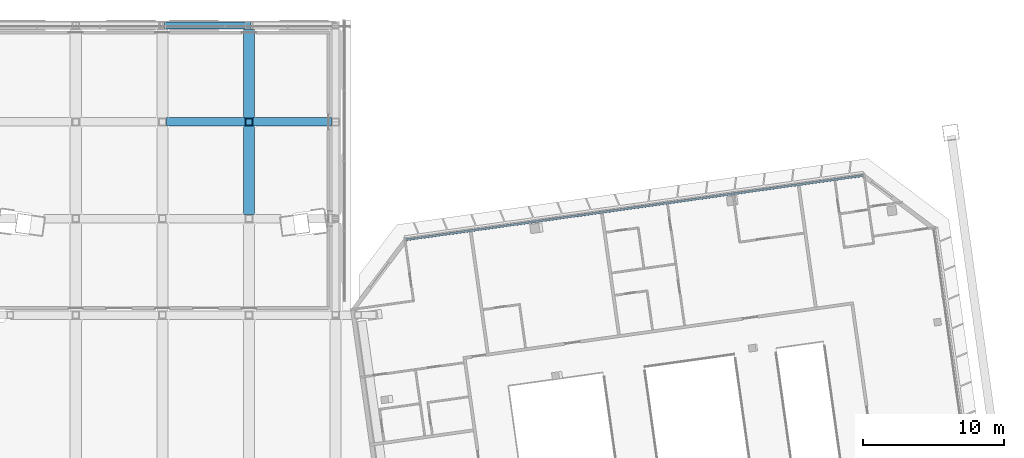
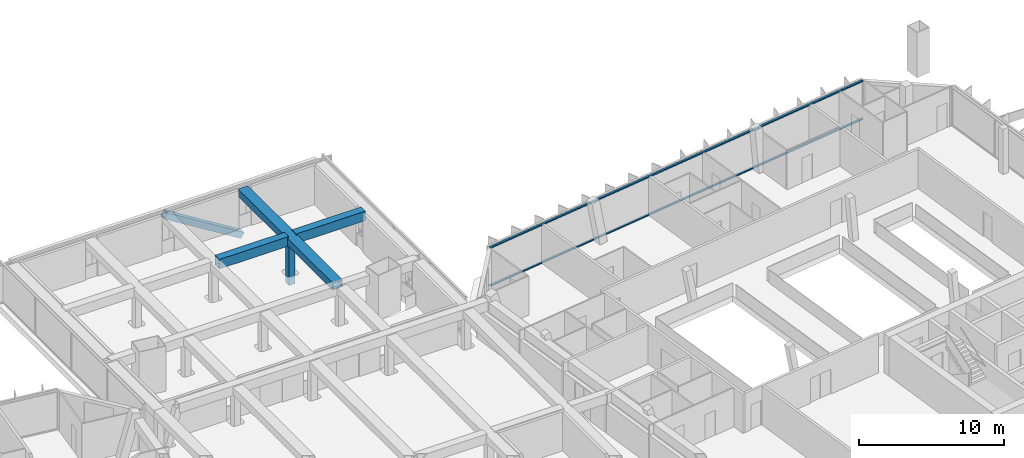
# One storey, part 10 of 28: 7 members, 1 element without a shape of its own.
"""IFC4 building model written with IfcOpenShell, lengths in metres."""

from ifc_helpers import new_model, si_unit, direction, frame, origin, origin_2d, place, context, subcontext, project, spatial, rectangle, hollow_rectangle, extrude, material, material_profile, profile_set, type_object, element, aggregate, save


model = new_model("IFC4")

# Units and contexts
model_context = context("Model", 3, precision=1e-05, world=origin(), true_north=direction((0.0, 1.0)))
body_context = subcontext(model_context, "Body", "Model", "MODEL_VIEW")
ifc_project = project(units=[si_unit("LENGTHUNIT", "METRE"), si_unit("AREAUNIT", "SQUARE_METRE"), si_unit("VOLUMEUNIT", "CUBIC_METRE"), si_unit("PLANEANGLEUNIT", "RADIAN"), si_unit("MASSUNIT", "GRAM", prefix="KILO")], contexts=[model_context])

# Site, building, storey
site_placement = place(None, origin())
site = spatial("IfcSite", under=ifc_project, at=site_placement, CompositionType="ELEMENT")
building_placement = place(site_placement, origin())
building = spatial("IfcBuilding", under=site, at=building_placement, Name="Mirante Cascada Hotel Towers", CompositionType="ELEMENT")
storey_placement = place(building_placement, frame((0.0, 0.0, 262.2)))
storey = spatial("IfcBuildingStorey", under=building, at=storey_placement, Name="L63", CompositionType="ELEMENT", Elevation=262.2)

# Members
ifc_material_1 = material(Name="Steel ASTM A572 Gr 50", Category="steel")
ifc_material_profile_1 = material_profile(ifc_material_1, hollow_rectangle(XDim=0.6, YDim=0.8, WallThickness=0.04, at=origin_2d()), Name="Box chord 800x600x40 ASTM A572 Gr 50")
ifc_profile_set_1 = profile_set([ifc_material_profile_1], Name="Steel ASTM A572 Gr 50")
member_type_1 = type_object("IfcMemberType", Name="Box chord 800x600x40 ASTM A572 Gr 50", PredefinedType="CHORD", material=ifc_profile_set_1)
member_1_placement = place(storey_placement, frame((6.1257, 17.0475, 2.9), z_axis=(0.0, 1.0, 0.0), x_axis=(0.0, 0.0, 1.0)))
element("IfcMember", 1, at=member_1_placement, inside=storey, type_object=member_type_1, Name="dchord sky park L64 16", PredefinedType="CHORD", context=body_context, shape_type="SweptSolid", body=[
    extrude(hollow_rectangle(XDim=0.6, YDim=0.8, WallThickness=0.04, at=origin_2d()), origin(), (0.0, 0.0, 1.0), 13.0667),
])
for number, where, z_axis, x_axis, name in (
    (2, (0.3, 23.5808, 2.9), (1.0, 0.0, 0.0), (0.0, 1.0, 0.0), "dchord sky park L64 34"),
    (3, (6.4257, 23.5808, 2.9), (1.0, 0.0, 0.0), (0.0, 1.0, 0.0), "dchord sky park L64 35"),
):
    element("IfcMember", number, at=place(storey_placement, frame(where, z_axis=z_axis, x_axis=x_axis)), inside=storey, type_object=member_type_1, Name=name, PredefinedType="CHORD", context=body_context, shape_type="SweptSolid", body=[
        extrude(hollow_rectangle(XDim=0.6, YDim=0.8, WallThickness=0.04, at=origin_2d()), origin(), (0.0, 0.0, 1.0), 5.5257),
    ])
ifc_material_2 = material(Name="Steel ASTM A572 Gr 50", Category="steel")
ifc_material_profile_2 = material_profile(ifc_material_2, hollow_rectangle(XDim=0.5, YDim=0.5, WallThickness=0.03, at=origin_2d()), Name="Box diagonal 500x500x30 ASTM A572 Gr 50")
ifc_profile_set_2 = profile_set([ifc_material_profile_2], Name="Steel ASTM A572 Gr 50")
member_type_2 = type_object("IfcMemberType", Name="Box diagonal 500x500x30 ASTM A572 Gr 50", PredefinedType="BRACE", material=ifc_profile_set_2)
member_2_placement = place(storey_placement, frame((6.1257, 30.4142, -0.9), z_axis=(-0.8497743, 0.0, 0.5271467), x_axis=(0.0, -1.0, 0.0)))
element("IfcMember", 4, at=member_2_placement, inside=storey, type_object=member_type_2, Name="ddiag sky park L63 13", PredefinedType="BRACE", context=body_context, shape_type="SweptSolid", body=[
    extrude(hollow_rectangle(XDim=0.5, YDim=0.5, WallThickness=0.03, at=origin_2d()), origin(), (0.0, 0.0, 1.0), 7.2086),
])
ifc_material_3 = material(Name="Steel ASTM A572 Gr 50", Category="steel")
ifc_material_profile_3 = material_profile(ifc_material_3, hollow_rectangle(XDim=0.5, YDim=0.5, WallThickness=0.03, at=origin_2d()), Name="Box post 500x500x30 ASTM A572 Gr 50")
ifc_profile_set_3 = profile_set([ifc_material_profile_3], Name="Steel ASTM A572 Gr 50")
member_type_3 = type_object("IfcMemberType", Name="Box post 500x500x30 ASTM A572 Gr 50", PredefinedType="POST", material=ifc_profile_set_3)
member_3_placement = place(storey_placement, frame((6.1257, 23.5808, -0.9), z_axis=(0.0, 0.0, 1.0), x_axis=(1.0, 0.0, 0.0)))
element("IfcMember", 5, at=member_3_placement, inside=storey, type_object=member_type_3, Name="dpost sky park L63 27", PredefinedType="POST", context=body_context, shape_type="SweptSolid", body=[
    extrude(hollow_rectangle(XDim=0.5, YDim=0.5, WallThickness=0.03, at=origin_2d()), origin(), (0.0, 0.0, 1.0), 3.8),
])

# Curtain wall, members
ifc_material_4 = material(Name="Aluminium mullion and transom frame with clear laminated glass", Category="aluminium")
curtain_wall_type = type_object("IfcCurtainWallType", Name="Ribbon curtain wall ECW1", PredefinedType="NOTDEFINED", material=ifc_material_4)
curtain_wall_placement = place(storey_placement, origin())
curtain_wall = element("IfcCurtainWall", 6, at=curtain_wall_placement, inside=storey, type_object=curtain_wall_type, Name="Front ribbon wall T2 L63", PredefinedType="NOTDEFINED")
ifc_material_5 = material(Name="Anodised aluminium extrusion", Category="aluminium")
ifc_material_profile_4 = material_profile(ifc_material_5, rectangle(XDim=0.16, YDim=0.1, at=origin_2d()), Name="ECW1 TRANSOM 100x160")
ifc_profile_set_4 = profile_set([ifc_material_profile_4], Name="Anodised aluminium extrusion")
member_type_4 = type_object("IfcMemberType", Name="ECW1 transom 100x160", PredefinedType="USERDEFINED", material=ifc_profile_set_4)
member_4_placement = place(storey_placement, frame((49.5961, 19.7893, 0.05), z_axis=(-0.9902683, -0.1391716, 0.0), x_axis=(0.1391716, -0.9902683, 0.0)))
member_4 = element("IfcMember", 7, at=member_4_placement, type_object=member_type_4, Name="ECW1 sill transom", ObjectType="TRANSOM", PredefinedType="USERDEFINED", context=body_context, shape_type="SweptSolid", body=[
    extrude(rectangle(XDim=0.16, YDim=0.1, at=origin_2d()), origin(), (0.0, 0.0, 1.0), 32.6877),
])
member_5_placement = place(storey_placement, frame((49.5961, 19.7893, 3.25), z_axis=(-0.9902683, -0.1391716, 0.0), x_axis=(0.1391716, -0.9902683, 0.0)))
member_5 = element("IfcMember", 8, at=member_5_placement, type_object=member_type_4, Name="ECW1 head transom", ObjectType="TRANSOM", PredefinedType="USERDEFINED", context=body_context, shape_type="SweptSolid", body=[
    extrude(rectangle(XDim=0.16, YDim=0.1, at=origin_2d()), origin(), (0.0, 0.0, 1.0), 32.6877),
])
aggregate(curtain_wall, [member_4, member_5])

save(model, "model.ifc")
